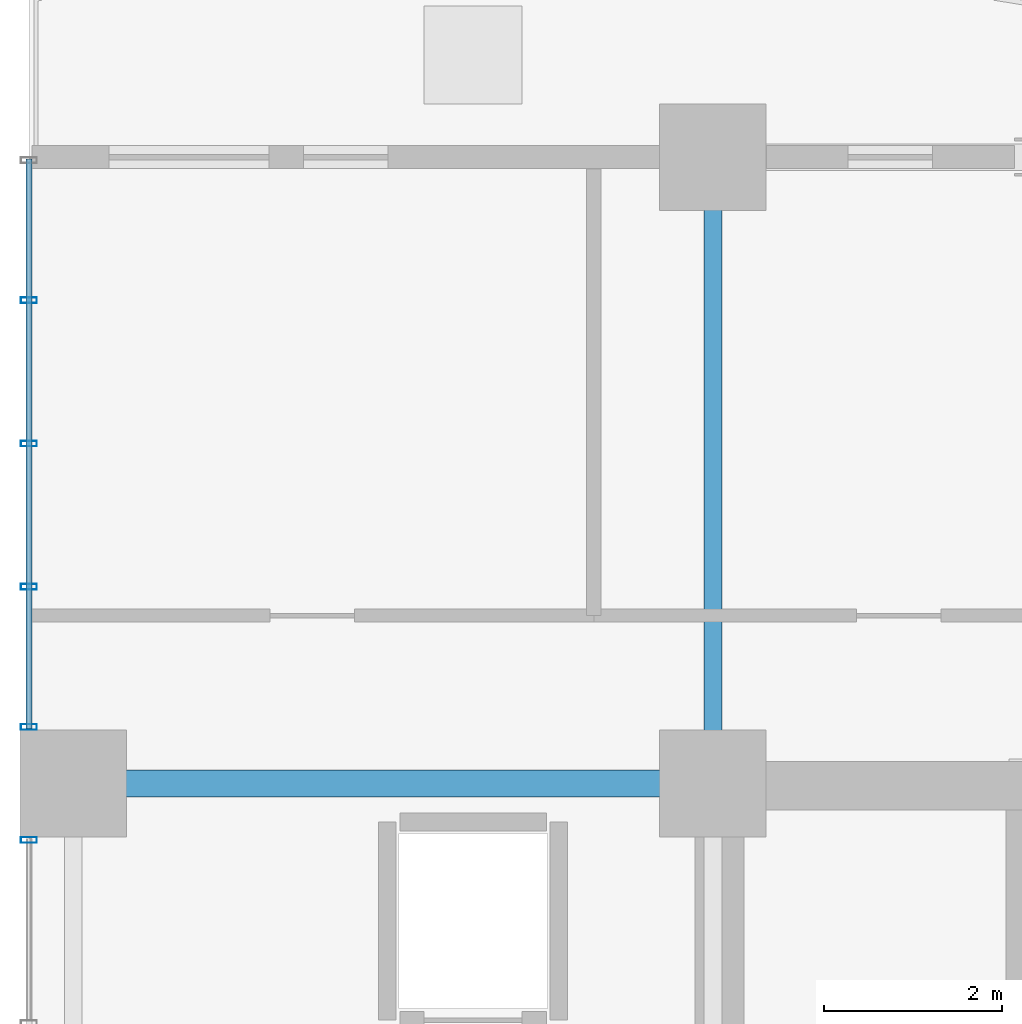
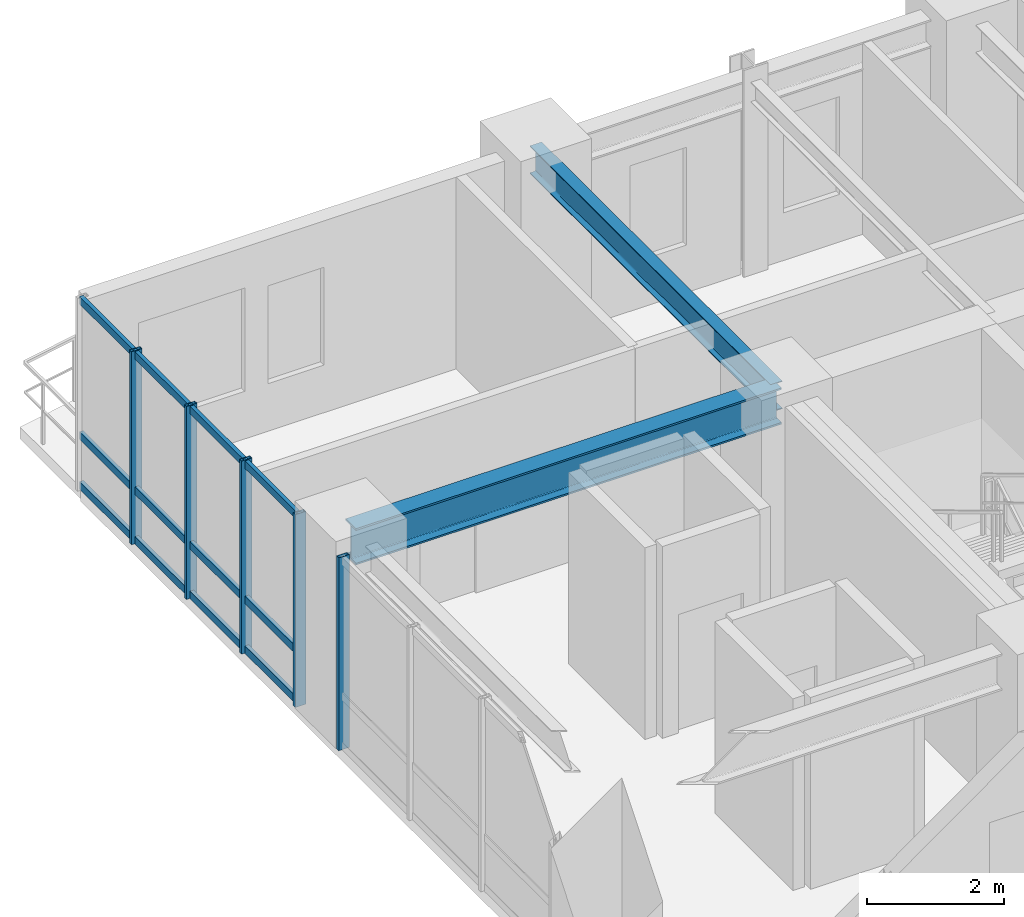
# One storey, part 6 of 18: 8 members, 2 beams, 2 elements without a shape of their own.
"""IFC4 building model written with IfcOpenShell, lengths in metres."""

import ifcopenshell
import ifcopenshell.guid

model = None  # the IFC model being written
_history = None  # IfcOwnerHistory: only IFC2X3 demands one
_inside = {}  # id of a spatial element -> (the spatial element, [elements in it])
_under = {}  # id of a project, library or spatial element -> (it, [spatial elements below it])
_declared = {}  # id of a project -> (the project, [libraries it declares])
_typed = {}  # id of a type object -> (the type object, [elements of that type])
_made_of = {}  # id of a material, layer set ... -> (it, [elements and type objects made of it])


def new_model(schema):
    """Start an empty IFC model of exactly this schema.

    Asked for "IFC4X3", IfcOpenShell would pick the latest addendum, in which some entities
    have other attributes; the version numbers below select the first issue.
    IFC2X3 requires an IfcOwnerHistory on every rooted entity: one is made here for all.
    """
    global model, _history
    if schema == "IFC4X3":
        model = ifcopenshell.file(schema_version=(4, 3, 0, 0))
    else:
        model = ifcopenshell.file(schema=schema)
    _inside.clear()
    _under.clear()
    _declared.clear()
    _typed.clear()
    _made_of.clear()
    _history = None
    if model.schema == "IFC2X3":
        org = make("IfcOrganization", Name="unknown")
        user = make(
            "IfcPersonAndOrganization",
            ThePerson=make("IfcPerson", FamilyName="unknown"),
            TheOrganization=org,
        )
        app = make(
            "IfcApplication",
            ApplicationDeveloper=org,
            Version="unknown",
            ApplicationFullName="unknown",
            ApplicationIdentifier="unknown",
        )
        _history = make(
            "IfcOwnerHistory",
            OwningUser=user,
            OwningApplication=app,
            ChangeAction="ADDED",
            CreationDate=0,
        )
    return model


def make(cls, **values):
    """One entity of the class cls with the attributes given. An attribute that is None is left unset."""
    return model.create_entity(
        cls, **{name: value for name, value in values.items() if value is not None}
    )


def rooted(cls, **values):
    """An entity with a GlobalId (a new one), such as an element, a storey or a relation."""
    return make(cls, GlobalId=ifcopenshell.guid.new(), OwnerHistory=_history, **values)


def si_unit(unit_type, name, prefix=None):
    """IfcSIUnit, for example si_unit("LENGTHUNIT", "METRE", prefix="MILLI")."""
    return make("IfcSIUnit", UnitType=unit_type, Prefix=prefix, Name=name)


def assignment(units):
    """IfcUnitAssignment: the units of a project."""
    return None if units is None else make("IfcUnitAssignment", Units=units)


def point(xyz):
    """IfcCartesianPoint."""
    return None if xyz is None else make("IfcCartesianPoint", Coordinates=xyz)


def direction(xyz):
    """IfcDirection."""
    return None if xyz is None else make("IfcDirection", DirectionRatios=xyz)


def frame(location, z_axis=None, x_axis=None):
    """IfcAxis2Placement3D, a coordinate frame: its origin and axes. An axis left out is left unset."""
    return make(
        "IfcAxis2Placement3D",
        Location=point(location),
        Axis=direction(z_axis),
        RefDirection=direction(x_axis),
    )


def frame_2d(location, x_axis=None):
    """IfcAxis2Placement2D, a coordinate frame in the plane: its origin and x axis."""
    return make(
        "IfcAxis2Placement2D", Location=point(location), RefDirection=direction(x_axis)
    )


def origin():
    """The frame at (0, 0, 0) with its axes left unset."""
    return frame((0.0, 0.0, 0.0))


def origin_2d():
    """The frame at (0, 0) in the plane with its x axis left unset."""
    return frame_2d((0.0, 0.0))


def place(relative_to, where):
    """IfcLocalPlacement: puts the frame where relative to a parent placement (None: the world)."""
    return make(
        "IfcLocalPlacement", PlacementRelTo=relative_to, RelativePlacement=where
    )


def context(
    kind, dimensions, precision=None, world=None, true_north=None, identifier=None
):
    """IfcGeometricRepresentationContext, for example the 3D "Model" context."""
    return make(
        "IfcGeometricRepresentationContext",
        ContextIdentifier=identifier,
        ContextType=kind,
        CoordinateSpaceDimension=dimensions,
        Precision=precision,
        WorldCoordinateSystem=world,
        TrueNorth=true_north,
    )


def subcontext(parent, identifier, kind, view, scale=None):
    """IfcGeometricRepresentationSubContext, for example "Body" below "Model"."""
    return make(
        "IfcGeometricRepresentationSubContext",
        ContextIdentifier=identifier,
        ContextType=kind,
        ParentContext=parent,
        TargetScale=scale,
        TargetView=view,
    )


def project(units=None, contexts=None):
    """IfcProject with its units and contexts."""
    return rooted(
        "IfcProject",
        Name="project",
        RepresentationContexts=contexts,
        UnitsInContext=assignment(units),
    )


def spatial(cls, under=None, at=None, **own):
    """A site, building, storey or space (cls), placed at a placement, below another one or the project."""
    s = rooted(cls, ObjectPlacement=at, **own)
    if under is not None:
        _under.setdefault(under.id(), (under, []))[1].append(s)
    return s


def profile(cls, at=None, kind="AREA", **sizes):
    """A parametric profile (cls). Its sizes go by their IFC names, for example OverallWidth=200.0."""
    return make(cls, ProfileType=kind, Position=at, **sizes)


def hollow_rectangle(**sizes):
    """IfcRectangleHollowProfileDef."""
    return profile("IfcRectangleHollowProfileDef", **sizes)


def i_section(**sizes):
    """IfcIShapeProfileDef."""
    return profile("IfcIShapeProfileDef", **sizes)


def extrude(swept, where, along, depth):
    """IfcExtrudedAreaSolid: the profile swept, set in the frame where, extruded along a direction by depth."""
    return make(
        "IfcExtrudedAreaSolid",
        SweptArea=swept,
        Position=where,
        ExtrudedDirection=direction(along),
        Depth=depth,
    )


def shape(context_of_items, identifier, shape_type, items):
    """IfcShapeRepresentation: the items that make up one representation, for example the "Body"."""
    return make(
        "IfcShapeRepresentation",
        ContextOfItems=context_of_items,
        RepresentationIdentifier=identifier,
        RepresentationType=shape_type,
        Items=items,
    )


def source(mapping_origin, context_of_items, identifier, shape_type, items):
    """IfcRepresentationMap: a shape defined once, which mapped items show again and again."""
    return make(
        "IfcRepresentationMap",
        MappingOrigin=mapping_origin,
        MappedRepresentation=shape(context_of_items, identifier, shape_type, items),
    )


def transform(
    local_origin,
    x_axis=None,
    y_axis=None,
    z_axis=None,
    scale=None,
    scale2=None,
    scale3=None,
    uniform=True,
):
    """IfcCartesianTransformationOperator3D, or its non-uniform kind. x_axis, y_axis, z_axis: its Axis1, 2, 3."""
    if uniform:
        return make(
            "IfcCartesianTransformationOperator3D",
            Axis1=direction(x_axis),
            Axis2=direction(y_axis),
            LocalOrigin=point(local_origin),
            Scale=scale,
            Axis3=direction(z_axis),
        )
    return make(
        "IfcCartesianTransformationOperator3DnonUniform",
        Axis1=direction(x_axis),
        Axis2=direction(y_axis),
        LocalOrigin=point(local_origin),
        Scale=scale,
        Axis3=direction(z_axis),
        Scale2=scale2,
        Scale3=scale3,
    )


def mapped(mapping_source, mapping_target):
    """IfcMappedItem: shows the shape of a source again, moved by a transform."""
    return make(
        "IfcMappedItem", MappingSource=mapping_source, MappingTarget=mapping_target
    )


def material(Name=None, Category=None):
    """IfcMaterial."""
    return make("IfcMaterial", Name=Name, Category=Category)


def layer(
    of_material, thickness, ventilated=None, Name=None, Category=None, Priority=None
):
    """IfcMaterialLayer: one layer of a wall or slab, of a material (None: an air gap)."""
    return make(
        "IfcMaterialLayer",
        Material=of_material,
        LayerThickness=thickness,
        IsVentilated=ventilated,
        Name=Name,
        Category=Category,
        Priority=Priority,
    )


def layer_set(layers, Name=None):
    """IfcMaterialLayerSet."""
    return make("IfcMaterialLayerSet", MaterialLayers=layers, LayerSetName=Name)


def material_profile(
    of_material, cross_section, Name=None, Category=None, Priority=None
):
    """IfcMaterialProfile: a cross section and its material."""
    return make(
        "IfcMaterialProfile",
        Name=Name,
        Material=of_material,
        Profile=cross_section,
        Priority=Priority,
        Category=Category,
    )


def profile_set(profiles, Name=None, composite=None):
    """IfcMaterialProfileSet."""
    return make(
        "IfcMaterialProfileSet",
        Name=Name,
        MaterialProfiles=profiles,
        CompositeProfile=composite,
    )


def made_of(thing, what):
    """Note that an element or type object is made of a material, layer set ...; save() writes the relation."""
    if what is not None:
        _made_of.setdefault(what.id(), (what, []))[1].append(thing)
    return thing


def type_object(cls, material=None, **own):
    """A type object (cls), such as IfcWallType, which elements share."""
    return made_of(rooted(cls, **own), material)


def element(
    cls,
    number,
    at=None,
    inside=None,
    cuts=None,
    type_object=None,
    material=None,
    context=None,
    identifier="Body",
    shape_type=None,
    held_by="IfcProductDefinitionShape",
    body=None,
    shapes=None,
    **own,
):
    """One element of the class cls, such as IfcWall. Its Tag is "e" and its number.

    at: its placement. inside: the storey or other place that contains it. cuts: it is an
    opening in that element (IfcRelVoidsElement). A single representation is given by context,
    identifier, shape_type and body (its items); several are given by shapes. held_by: the class
    of the entity that holds the representations. save() writes the other relations.
    """
    e = rooted(cls, Tag="e%d" % number, ObjectPlacement=at, **own)
    if body is not None:
        shapes = [shape(context, identifier, shape_type, body)]
    if shapes is not None:
        e.Representation = make(held_by, Representations=shapes)
    if inside is not None:
        _inside.setdefault(inside.id(), (inside, []))[1].append(e)
    if cuts is not None:
        rooted(
            "IfcRelVoidsElement", RelatingBuildingElement=cuts, RelatedOpeningElement=e
        )
    if type_object is not None:
        _typed.setdefault(type_object.id(), (type_object, []))[1].append(e)
    return made_of(e, material)


def aggregate(whole, parts):
    """IfcRelAggregates: a whole, such as a stair, and the parts it consists of."""
    return rooted("IfcRelAggregates", RelatingObject=whole, RelatedObjects=parts)


def save(model, path):
    """Write the relations noted so far, then the file.

    IfcRelAggregates (storeys below a building ...), IfcRelContainedInSpatialStructure (elements
    in a storey), IfcRelDefinesByType, IfcRelAssociatesMaterial and IfcRelDeclares: one each for
    every whole, place, type object, material and project.
    """
    for whole, parts in _under.values():
        aggregate(whole, parts)
    for where, things in _inside.values():
        rooted(
            "IfcRelContainedInSpatialStructure",
            RelatedElements=things,
            RelatingStructure=where,
        )
    for kind, things in _typed.values():
        rooted("IfcRelDefinesByType", RelatedObjects=things, RelatingType=kind)
    for what, things in _made_of.values():
        rooted("IfcRelAssociatesMaterial", RelatedObjects=things, RelatingMaterial=what)
    for by, libraries in _declared.values():
        rooted("IfcRelDeclares", RelatingContext=by, RelatedDefinitions=libraries)
    model.write(path)


model = new_model("IFC4")

# Units and contexts
model_context = context("Model", 3, precision=1e-05, world=origin(), true_north=direction((0.0, 1.0)))
body_context = subcontext(model_context, "Body", "Model", "MODEL_VIEW")
ifc_project = project(units=[si_unit("LENGTHUNIT", "METRE"), si_unit("AREAUNIT", "SQUARE_METRE"), si_unit("VOLUMEUNIT", "CUBIC_METRE"), si_unit("PLANEANGLEUNIT", "RADIAN"), si_unit("MASSUNIT", "GRAM", prefix="KILO")], contexts=[model_context])

# Site, building, storey
site_placement = place(None, origin())
site = spatial("IfcSite", under=ifc_project, at=site_placement, CompositionType="ELEMENT")
building_placement = place(site_placement, origin())
building = spatial("IfcBuilding", under=site, at=building_placement, Name="Kaliganga Portal Commons", CompositionType="ELEMENT")
storey_placement = place(building_placement, frame((0.0, 0.0, 93.39990234375)))
storey = spatial("IfcBuildingStorey", under=building, at=storey_placement, Name="L23", CompositionType="ELEMENT", Elevation=93.39990234375)

# Beams
ifc_material_1 = material(Name="Structural steel S355J2", Category="steel")
ifc_material_profile_1 = material_profile(ifc_material_1, i_section(OverallWidth=0.300048828125, OverallDepth=0.64990234375, WebThickness=0.01611328125, FlangeThickness=0.031005859375, FilletRadius=0.027099609375, at=origin_2d()), Name="HE 650 B")
ifc_profile_set_1 = profile_set([ifc_material_profile_1], Name="Structural steel S355J2 wide-flange")
beam_type_1 = type_object("IfcBeamType", Name="BM-GIRD-650", PredefinedType="USERDEFINED", material=ifc_profile_set_1)
shared_shape_1 = source(origin(), body_context, "Body", "SweptSolid", [
    extrude(i_section(OverallWidth=0.300048828125, OverallDepth=0.64990234375, WebThickness=0.01611328125, FlangeThickness=0.031005859375, FilletRadius=0.027099609375, at=origin_2d()), origin(), (0.0, 0.0, 1.0), 7.199951171875),
])
beam_1_placement = place(storey_placement, frame((7.199951171875, 36.14990234375, 3.125), z_axis=(1.0, 0.0, 0.0), x_axis=(0.0, 1.0, 0.0)))
element("IfcBeam", 1, at=beam_1_placement, inside=storey, type_object=beam_type_1, Name="BM G L23 WAH_N 1", ObjectType="GIRDER", PredefinedType="USERDEFINED", context=body_context, shape_type="MappedRepresentation", body=[
    mapped(shared_shape_1, transform((0.0, 0.0, 0.0), x_axis=(1.0, 0.0, 0.0), y_axis=(0.0, 1.0, 0.0), z_axis=(0.0, 0.0, 1.0), scale=1.0)),
])
ifc_material_profile_2 = material_profile(ifc_material_1, i_section(OverallWidth=0.199951171875, OverallDepth=0.5, WebThickness=0.01025390625, FlangeThickness=0.01611328125, FilletRadius=0.02099609375, at=origin_2d()), Name="IPE 500")
ifc_profile_set_2 = profile_set([ifc_material_profile_2], Name="Structural steel S355J2 wide-flange")
beam_type_2 = type_object("IfcBeamType", Name="BM-FLR-500", PredefinedType="BEAM", material=ifc_profile_set_2)
shared_shape_2 = source(origin(), body_context, "Body", "SweptSolid", [
    extrude(i_section(OverallWidth=0.199951171875, OverallDepth=0.5, WebThickness=0.01025390625, FlangeThickness=0.01611328125, FilletRadius=0.02099609375, at=origin_2d()), origin(), (0.0, 0.0, 1.0), 7.050048828125),
])
beam_2_placement = place(storey_placement, frame((14.39990234375, 36.14990234375, 3.2001953125), z_axis=(0.0, 1.0, 0.0), x_axis=(-1.0, 0.0, 0.0)))
element("IfcBeam", 2, at=beam_2_placement, inside=storey, type_object=beam_type_2, Name="BM G L23 AN144", PredefinedType="BEAM", context=body_context, shape_type="MappedRepresentation", body=[
    mapped(shared_shape_2, transform((0.0, 0.0, 0.0), x_axis=(1.0, 0.0, 0.0), y_axis=(0.0, 1.0, 0.0), z_axis=(0.0, 0.0, 1.0), scale=1.0)),
])

# Curtain wall, members
ifc_material_2 = material(Name="Anodized Aluminium and Laminated Low-E Glass", Category="aluminium")
ifc_layer = layer(ifc_material_2, 0.199951171875)
ifc_layer_set = layer_set([ifc_layer], Name="Anodized Aluminium and Laminated Low-E Glass")
curtain_wall_type = type_object("IfcCurtainWallType", Name="CW-SYS-02", PredefinedType="NOTDEFINED", material=ifc_layer_set)
curtain_wall_1_placement = place(storey_placement, origin())
curtain_wall_1 = element("IfcCurtainWall", 3, at=curtain_wall_1_placement, inside=storey, type_object=curtain_wall_type, Name="CW 02 L23 P1E03S1", PredefinedType="NOTDEFINED")
ifc_material_3 = material(Name="Dark Bronze Anodized Aluminium", Category="aluminium")
ifc_material_profile_3 = material_profile(ifc_material_3, hollow_rectangle(XDim=0.06494140625, YDim=0.179931640625, WallThickness=0.00390625, at=origin_2d()), Name="ALU MULL 65x180x4")
ifc_profile_set_3 = profile_set([ifc_material_profile_3], Name="Dark Bronze Anodized Aluminium")
member_type_1 = type_object("IfcMemberType", Name="CW-MUL-180", PredefinedType="MULLION", material=ifc_profile_set_3)
shared_shape_3 = source(origin(), body_context, "Body", "SweptSolid", [
    extrude(hollow_rectangle(XDim=0.06494140625, YDim=0.179931640625, WallThickness=0.00390625, at=origin_2d()), origin(), (0.0, 0.0, 1.0), 3.4501953125),
])
member_1_placement = place(storey_placement, frame((6.699951171875, 41.587646484375, 0.0), z_axis=(0.0, 0.0, 1.0), x_axis=(0.0, -1.0, 0.0)))
member_1 = element("IfcMember", 4, at=member_1_placement, type_object=member_type_1, Name="CW:02:L23:P1E03S1 Mullion 01", PredefinedType="MULLION", context=body_context, shape_type="MappedRepresentation", body=[
    mapped(shared_shape_3, transform((0.0, 0.0, 0.0), x_axis=(1.0, 0.0, 0.0), y_axis=(0.0, 1.0, 0.0), z_axis=(0.0, 0.0, 1.0), scale=1.0)),
])
member_2_placement = place(storey_placement, frame((6.699951171875, 39.9755859375, 0.0), z_axis=(0.0, 0.0, 1.0), x_axis=(0.0, -1.0, 0.0)))
member_2 = element("IfcMember", 5, at=member_2_placement, type_object=member_type_1, Name="CW:02:L23:P1E03S1 Mullion 02", PredefinedType="MULLION", context=body_context, shape_type="MappedRepresentation", body=[
    mapped(shared_shape_3, transform((0.0, 0.0, 0.0), x_axis=(1.0, 0.0, 0.0), y_axis=(0.0, 1.0, 0.0), z_axis=(0.0, 0.0, 1.0), scale=1.0)),
])
member_3_placement = place(storey_placement, frame((6.699951171875, 38.36328125, 0.0), z_axis=(0.0, 0.0, 1.0), x_axis=(0.0, -1.0, 0.0)))
member_3 = element("IfcMember", 6, at=member_3_placement, type_object=member_type_1, Name="CW:02:L23:P1E03S1 Mullion 03", PredefinedType="MULLION", context=body_context, shape_type="MappedRepresentation", body=[
    mapped(shared_shape_3, transform((0.0, 0.0, 0.0), x_axis=(1.0, 0.0, 0.0), y_axis=(0.0, 1.0, 0.0), z_axis=(0.0, 0.0, 1.0), scale=1.0)),
])
member_4_placement = place(storey_placement, frame((6.699951171875, 36.785888671875, 0.0), z_axis=(0.0, 0.0, 1.0), x_axis=(0.0, -1.0, 0.0)))
member_4 = element("IfcMember", 7, at=member_4_placement, type_object=member_type_1, Name="CW:02:L23:P1E03S1 Mullion 04", PredefinedType="MULLION", context=body_context, shape_type="MappedRepresentation", body=[
    mapped(shared_shape_3, transform((0.0, 0.0, 0.0), x_axis=(1.0, 0.0, 0.0), y_axis=(0.0, 1.0, 0.0), z_axis=(0.0, 0.0, 1.0), scale=1.0)),
])

# Curtain wall, member
curtain_wall_2_placement = place(storey_placement, origin())
curtain_wall_2 = element("IfcCurtainWall", 8, at=curtain_wall_2_placement, inside=storey, type_object=curtain_wall_type, Name="CW 02 L23 P1E03S2", PredefinedType="NOTDEFINED")
member_5_placement = place(storey_placement, frame((6.699951171875, 35.513916015625, 0.0), z_axis=(0.0, 0.0, 1.0), x_axis=(0.0, -1.0, 0.0)))
member_5 = element("IfcMember", 9, at=member_5_placement, type_object=member_type_1, Name="CW:02:L23:P1E03S2 Mullion 00", PredefinedType="MULLION", context=body_context, shape_type="MappedRepresentation", body=[
    mapped(shared_shape_3, transform((0.0, 0.0, 0.0), x_axis=(1.0, 0.0, 0.0), y_axis=(0.0, 1.0, 0.0), z_axis=(0.0, 0.0, 1.0), scale=1.0)),
])
aggregate(curtain_wall_2, [member_5])

# Member
ifc_material_profile_4 = material_profile(ifc_material_3, hollow_rectangle(XDim=0.06494140625, YDim=0.135009765625, WallThickness=0.00341796875, at=origin_2d()), Name="ALU TRAN 65x135x3.5")
ifc_profile_set_4 = profile_set([ifc_material_profile_4], Name="Dark Bronze Anodized Aluminium")
member_type_2 = type_object("IfcMemberType", Name="CW-TRN-135", PredefinedType="USERDEFINED", material=ifc_profile_set_4)
shared_shape_4 = source(origin(), body_context, "Body", "SweptSolid", [
    extrude(hollow_rectangle(XDim=0.06494140625, YDim=0.135009765625, WallThickness=0.00341796875, at=origin_2d()), origin(), (0.0, 0.0, 1.0), 6.408935546875),
])
member_6_placement = place(storey_placement, frame((6.699951171875, 43.179931640625, 0.06005859375), z_axis=(0.0, -1.0, 0.0), x_axis=(1.0, 0.0, 0.0)))
member_6 = element("IfcMember", 10, at=member_6_placement, type_object=member_type_2, Name="CW:02:L23:P1E03S1 Transom 1", ObjectType="TRANSOM", PredefinedType="USERDEFINED", context=body_context, shape_type="MappedRepresentation", body=[
    mapped(shared_shape_4, transform((0.0, 0.0, 0.0), x_axis=(1.0, 0.0, 0.0), y_axis=(0.0, 1.0, 0.0), z_axis=(0.0, 0.0, 1.0), scale=1.0)),
])

member_7_placement = place(storey_placement, frame((6.699951171875, 43.179931640625, 0.9501953125), z_axis=(0.0, -1.0, 0.0), x_axis=(1.0, 0.0, 0.0)))
member_7 = element("IfcMember", 11, at=member_7_placement, type_object=member_type_2, Name="CW:02:L23:P1E03S1 Transom 2", ObjectType="TRANSOM", PredefinedType="USERDEFINED", context=body_context, shape_type="MappedRepresentation", body=[
    mapped(shared_shape_4, transform((0.0, 0.0, 0.0), x_axis=(1.0, 0.0, 0.0), y_axis=(0.0, 1.0, 0.0), z_axis=(0.0, 0.0, 1.0), scale=1.0)),
])

member_8_placement = place(storey_placement, frame((6.699951171875, 43.179931640625, 3.3701171875), z_axis=(0.0, -1.0, 0.0), x_axis=(1.0, 0.0, 0.0)))
member_8 = element("IfcMember", 12, at=member_8_placement, type_object=member_type_2, Name="CW:02:L23:P1E03S1 Transom 3", ObjectType="TRANSOM", PredefinedType="USERDEFINED", context=body_context, shape_type="MappedRepresentation", body=[
    mapped(shared_shape_4, transform((0.0, 0.0, 0.0), x_axis=(1.0, 0.0, 0.0), y_axis=(0.0, 1.0, 0.0), z_axis=(0.0, 0.0, 1.0), scale=1.0)),
])

aggregate(curtain_wall_1, [member_1, member_2, member_3, member_4, member_6, member_7, member_8])

save(model, "model.ifc")
